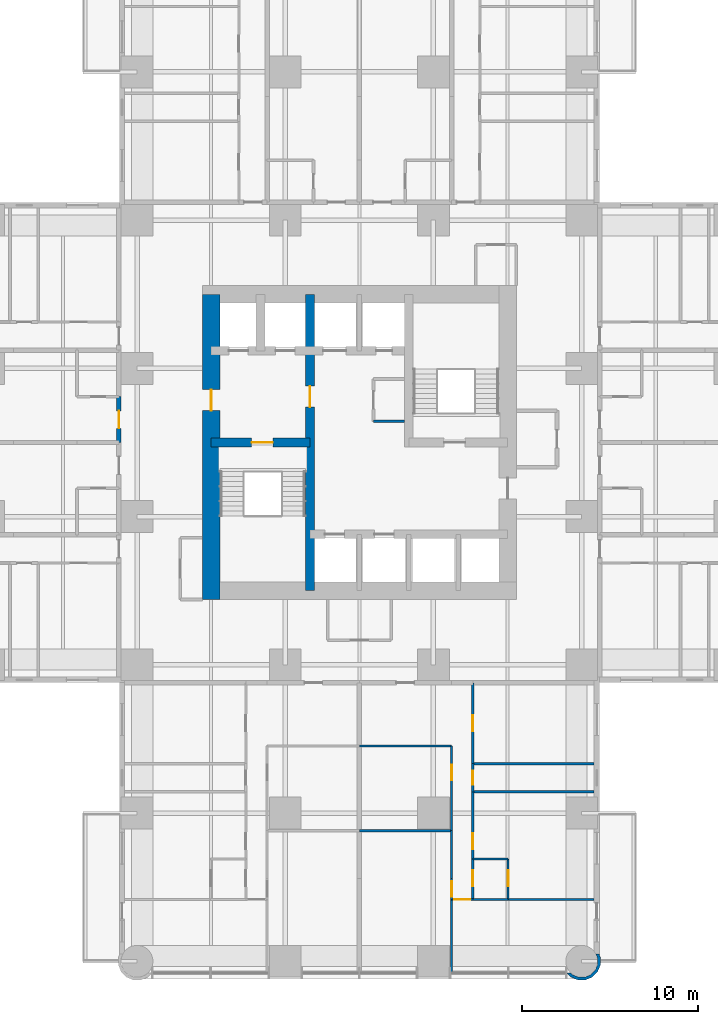
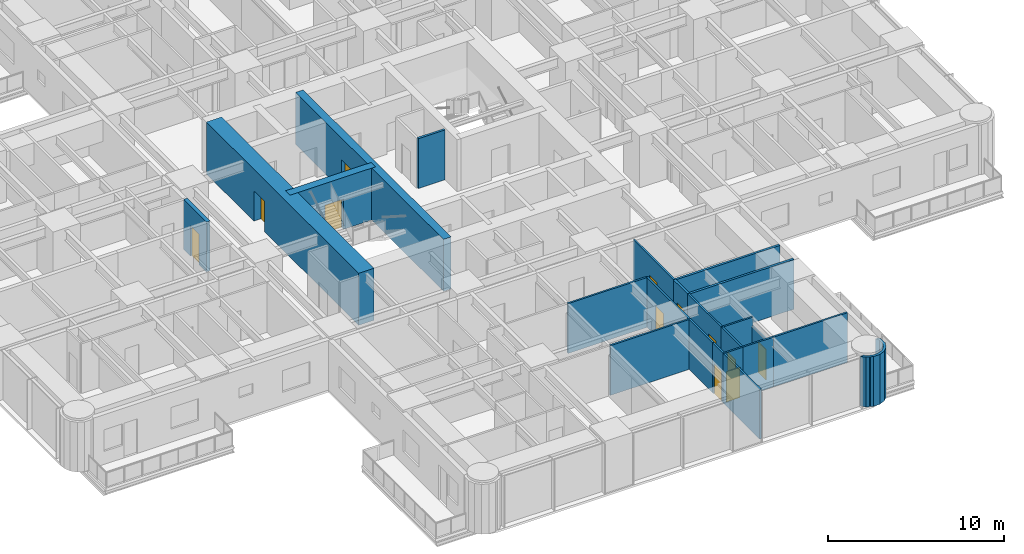
# One storey, part 9 of 17: 23 walls, 12 doors, 12 openings.
"""IFC4 building model written with IfcOpenShell, lengths in metres."""

from ifc_helpers import new_model, si_unit, direction, frame, frame_2d, origin, place, context, subcontext, project, spatial, polyline, rectangle, outline, extrude, material, layer, layer_set, type_object, element, fill, save


model = new_model("IFC4")

# Units and contexts
model_context = context("Model", 3, precision=1e-05, world=origin(), true_north=direction((0.0, 1.0)))
body_context = subcontext(model_context, "Body", "Model", "MODEL_VIEW")
ifc_project = project(units=[si_unit("LENGTHUNIT", "METRE"), si_unit("AREAUNIT", "SQUARE_METRE"), si_unit("VOLUMEUNIT", "CUBIC_METRE"), si_unit("PLANEANGLEUNIT", "RADIAN"), si_unit("MASSUNIT", "GRAM", prefix="KILO")], contexts=[model_context])

# Site, building, storey
site_placement = place(None, origin())
site = spatial("IfcSite", under=ifc_project, at=site_placement, CompositionType="ELEMENT")
building_placement = place(site_placement, origin())
building = spatial("IfcBuilding", under=site, at=building_placement, Name="Torre Alcanfor", CompositionType="ELEMENT")
storey_placement = place(building_placement, frame((0.0, 0.0, 88.5)))
storey = spatial("IfcBuildingStorey", under=building, at=storey_placement, Name="L22", CompositionType="ELEMENT", Elevation=88.5)

# Wall, opening, door
ifc_material_1 = material(Name="Concrete block masonry, hollow blocks NMX-C-404 9 MPa", Category="masonry")
ifc_layer_1 = layer(ifc_material_1, 0.25)
ifc_layer_set_1 = layer_set([ifc_layer_1], Name="Apartment entrance wall 250 EI 60")
wall_type_1 = type_object("IfcWallType", Name="Apartment entrance wall 250 EI 60", PredefinedType="PARTITIONING", material=ifc_layer_set_1)
wall_1_placement = place(storey_placement, frame((15.77490234375, 29.39990234375, 0.0), z_axis=(0.0, 0.0, 1.0), x_axis=(0.0, 1.0, 0.0)))
wall_1 = element("IfcWall", 1, at=wall_1_placement, inside=storey, type_object=wall_type_1, Name="Partition L22-CORR / L22-W2A-FOYER", PredefinedType="PARTITIONING", context=body_context, shape_type="SweptSolid", body=[
    extrude(rectangle(XDim=2.60009765625, YDim=0.25, at=frame_2d((1.300048828125, 0.0))), origin(), (0.0, 0.0, 1.0), 3.449951171875),
])
opening_1_placement = place(wall_1_placement, frame((0.800048828125, 0.0, 0.0)))
opening_1 = element("IfcOpeningElement", 2, at=opening_1_placement, cuts=wall_1, Name="Opening D-A1", PredefinedType="OPENING", context=body_context, shape_type="SweptSolid", body=[
    extrude(rectangle(XDim=1.0, YDim=2.10009765625, at=frame_2d((0.5, 1.050048828125))), frame((0.0, 0.135009765625, 0.0), z_axis=(0.0, -1.0, 0.0), x_axis=(1.0, 0.0, 0.0)), (0.0, 0.0, 1.0), 0.27001953125),
])
ifc_material_2 = material(Name="Galvanised steel sheet ASTM A653", Category="steel")
door_type_1 = type_object("IfcDoorType", Name="Apartment entrance door FD60 1000x2100", OperationType="SINGLE_SWING_LEFT", PredefinedType="DOOR", material=ifc_material_2)
door_1_placement = place(opening_1_placement, origin())
door_1 = element("IfcDoor", 3, at=door_1_placement, inside=storey, type_object=door_type_1, Name="Apartment entrance L22-W2A", OperationType="SINGLE_SWING_LEFT", OverallHeight=2.10009765625, OverallWidth=1.0, PredefinedType="DOOR", context=body_context, shape_type="SweptSolid", body=[
    extrude(rectangle(XDim=1.0, YDim=2.10009765625, at=frame_2d((0.5, 1.050048828125))), frame((0.0, 0.02490234375, 0.0), z_axis=(0.0, -1.0, 0.0), x_axis=(1.0, 0.0, 0.0)), (0.0, 0.0, 1.0), 0.050048828125),
])
fill(opening_1, door_1)

# Walls
ifc_material_3 = material(Name="Gypsum board on steel studs", Category="steel")
ifc_layer_2 = layer(ifc_material_3, 0.1201171875)
ifc_layer_set_2 = layer_set([ifc_layer_2], Name="Apartment partition 120")
wall_type_2 = type_object("IfcWallType", Name="Apartment partition 120", PredefinedType="PARTITIONING", material=ifc_layer_set_2)
for number, where, z_axis, x_axis, name in (
    (4, (29.39990234375, 12.199951171875, 0.0), (0.0, 0.0, 1.0), (1.0, 0.0, 0.0), "Partition L22-S1-ZAG / L22-S1-FAMILY"),
    (5, (29.39990234375, 7.39990234375, 0.0), (0.0, 0.0, 1.0), (1.0, 0.0, 0.0), "Partition L22-S1-FAMILY / L22-S1-KITCHEN"),
):
    element("IfcWall", number, at=place(storey_placement, frame(where, z_axis=z_axis, x_axis=x_axis)), inside=storey, type_object=wall_type_2, Name=name, PredefinedType="PARTITIONING", context=body_context, shape_type="SweptSolid", body=[
        extrude(rectangle(XDim=5.22900390625, YDim=0.1201171875, at=frame_2d((2.614501953125, 0.0))), origin(), (0.0, 0.0, 1.0), 3.449951171875),
    ])

# Wall, opening, door
wall_2_placement = place(storey_placement, frame((34.62890625, 7.39990234375, 0.0), z_axis=(0.0, 0.0, 1.0), x_axis=(0.0, 1.0, 0.0)))
wall_2 = element("IfcWall", 6, at=wall_2_placement, inside=storey, type_object=wall_type_2, Name="Partition L22-S1-FAMILY / L22-S1-HALL", PredefinedType="PARTITIONING", context=body_context, shape_type="SweptSolid", body=[
    extrude(rectangle(XDim=4.800048828125, YDim=0.1201171875, at=frame_2d((2.39990234375, 0.0))), origin(), (0.0, 0.0, 1.0), 3.449951171875),
])
opening_2_placement = place(wall_2_placement, frame((2.85009765625, 0.0, 0.0)))
opening_2 = element("IfcOpeningElement", 7, at=opening_2_placement, cuts=wall_2, Name="Opening D-R1", PredefinedType="OPENING", context=body_context, shape_type="SweptSolid", body=[
    extrude(rectangle(XDim=0.89990234375, YDim=2.10009765625, at=frame_2d((0.449951171875, 1.050048828125))), frame((0.0, 0.070068359375, 0.0), z_axis=(0.0, -1.0, 0.0), x_axis=(1.0, 0.0, 0.0)), (0.0, 0.0, 1.0), 0.14013671875),
])
ifc_material_4 = material(Name="Timber", Category="wood")
door_type_2 = type_object("IfcDoorType", Name="Internal door 900x2100", OperationType="SINGLE_SWING_LEFT", PredefinedType="DOOR", material=ifc_material_4)
door_2_placement = place(opening_2_placement, origin())
door_2 = element("IfcDoor", 8, at=door_2_placement, inside=storey, type_object=door_type_2, Name="Door L22-S1 family", OperationType="SINGLE_SWING_RIGHT", OverallHeight=2.10009765625, OverallWidth=0.89990234375, PredefinedType="DOOR", context=body_context, shape_type="SweptSolid", body=[
    extrude(rectangle(XDim=0.89990234375, YDim=2.10009765625, at=frame_2d((0.449951171875, 1.050048828125))), frame((0.0, 0.02490234375, 0.0), z_axis=(0.0, -1.0, 0.0), x_axis=(1.0, 0.0, 0.0)), (0.0, 0.0, 1.0), 0.050048828125),
])
fill(opening_2, door_2)

# Wall
wall_3_placement = place(storey_placement, frame((34.62890625, 4.699951171875, 0.0), z_axis=(0.0, 0.0, 1.0), x_axis=(0.0, 1.0, 0.0)))
element("IfcWall", 9, at=wall_3_placement, inside=storey, type_object=wall_type_2, Name="Partition L22-S1-KITCHEN / L22-S1-HALL", PredefinedType="PARTITIONING", context=body_context, shape_type="SweptSolid", body=[
    extrude(rectangle(XDim=2.699951171875, YDim=0.1201171875, at=frame_2d((1.35009765625, 0.0))), origin(), (0.0, 0.0, 1.0), 3.449951171875),
])

# Wall, opening, door
wall_4_placement = place(storey_placement, frame((34.62890625, 3.5, 0.0), z_axis=(0.0, 0.0, 1.0), x_axis=(0.0, 1.0, 0.0)))
wall_4 = element("IfcWall", 10, at=wall_4_placement, inside=storey, type_object=wall_type_2, Name="Partition L22-S1-LIVING / L22-S1-HALL", PredefinedType="PARTITIONING", context=body_context, shape_type="SweptSolid", body=[
    extrude(rectangle(XDim=1.199951171875, YDim=0.1201171875, at=frame_2d((0.60009765625, 0.0))), origin(), (0.0, 0.0, 1.0), 3.449951171875),
])
opening_3_placement = place(wall_4_placement, frame((0.14990234375, 0.0, 0.0)))
opening_3 = element("IfcOpeningElement", 11, at=opening_3_placement, cuts=wall_4, Name="Opening D-R1", PredefinedType="OPENING", context=body_context, shape_type="SweptSolid", body=[
    extrude(rectangle(XDim=0.89990234375, YDim=2.10009765625, at=frame_2d((0.449951171875, 1.050048828125))), frame((0.0, 0.070068359375, 0.0), z_axis=(0.0, -1.0, 0.0), x_axis=(1.0, 0.0, 0.0)), (0.0, 0.0, 1.0), 0.14013671875),
])
door_3_placement = place(opening_3_placement, origin())
door_3 = element("IfcDoor", 12, at=door_3_placement, inside=storey, type_object=door_type_2, Name="Door L22-S1 living", OperationType="SINGLE_SWING_RIGHT", OverallHeight=2.10009765625, OverallWidth=0.89990234375, PredefinedType="DOOR", context=body_context, shape_type="SweptSolid", body=[
    extrude(rectangle(XDim=0.89990234375, YDim=2.10009765625, at=frame_2d((0.449951171875, 1.050048828125))), frame((0.0, 0.02490234375, 0.0), z_axis=(0.0, -1.0, 0.0), x_axis=(1.0, 0.0, 0.0)), (0.0, 0.0, 1.0), 0.050048828125),
])
fill(opening_3, door_3)

# Wall
wall_5_placement = place(storey_placement, frame((34.62890625, -0.64990234375, 0.0), z_axis=(0.0, 0.0, 1.0), x_axis=(0.0, 1.0, 0.0)))
element("IfcWall", 13, at=wall_5_placement, inside=storey, type_object=wall_type_2, Name="Partition L22-S1-LIVING / L22-S1-WGARD", PredefinedType="PARTITIONING", context=body_context, shape_type="SweptSolid", body=[
    extrude(rectangle(XDim=4.14990234375, YDim=0.1201171875, at=frame_2d((2.074951171875, 0.0))), origin(), (0.0, 0.0, 1.0), 3.449951171875),
])

# Wall, opening, door
wall_6_placement = place(storey_placement, frame((35.8291015625, 11.199951171875, 0.0), z_axis=(0.0, 0.0, 1.0), x_axis=(0.0, 1.0, 0.0)))
wall_6 = element("IfcWall", 14, at=wall_6_placement, inside=storey, type_object=wall_type_2, Name="Partition L22-S1-HALL / L22-S1-BED2", PredefinedType="PARTITIONING", context=body_context, shape_type="SweptSolid", body=[
    extrude(rectangle(XDim=4.574951171875, YDim=0.1201171875, at=frame_2d((2.28759765625, 0.0))), origin(), (0.0, 0.0, 1.0), 3.449951171875),
])
opening_4_placement = place(wall_6_placement, frame((1.85009765625, 0.0, 0.0)))
opening_4 = element("IfcOpeningElement", 15, at=opening_4_placement, cuts=wall_6, Name="Opening D-R1", PredefinedType="OPENING", context=body_context, shape_type="SweptSolid", body=[
    extrude(rectangle(XDim=0.89990234375, YDim=2.10009765625, at=frame_2d((0.449951171875, 1.050048828125))), frame((0.0, 0.070068359375, 0.0), z_axis=(0.0, -1.0, 0.0), x_axis=(1.0, 0.0, 0.0)), (0.0, 0.0, 1.0), 0.14013671875),
])
door_4_placement = place(opening_4_placement, frame((0.89990234375, 0.0, 0.0), z_axis=(0.0, 0.0, 1.0), x_axis=(-1.0, 0.0, 0.0)))
door_4 = element("IfcDoor", 16, at=door_4_placement, inside=storey, type_object=door_type_2, Name="Door L22-S1 bed2", OperationType="SINGLE_SWING_LEFT", OverallHeight=2.10009765625, OverallWidth=0.89990234375, PredefinedType="DOOR", context=body_context, shape_type="SweptSolid", body=[
    extrude(rectangle(XDim=0.89990234375, YDim=2.10009765625, at=frame_2d((0.449951171875, 1.050048828125))), frame((0.0, 0.025146484375, 0.0), z_axis=(0.0, -1.0, 0.0), x_axis=(1.0, 0.0, 0.0)), (0.0, 0.0, 1.0), 0.050048828125),
])
fill(opening_4, door_4)

wall_7_placement = place(storey_placement, frame((35.8291015625, 5.800048828125, 0.0), z_axis=(0.0, 0.0, 1.0), x_axis=(0.0, 1.0, 0.0)))
wall_7 = element("IfcWall", 17, at=wall_7_placement, inside=storey, type_object=wall_type_2, Name="Partition L22-S1-HALL / L22-S1-MASTER", PredefinedType="PARTITIONING", context=body_context, shape_type="SweptSolid", body=[
    extrude(rectangle(XDim=3.800048828125, YDim=0.1201171875, at=frame_2d((1.89990234375, 0.0))), origin(), (0.0, 0.0, 1.0), 3.449951171875),
])
opening_5_placement = place(wall_7_placement, frame((0.550048828125, 0.0, 0.0)))
opening_5 = element("IfcOpeningElement", 18, at=opening_5_placement, cuts=wall_7, Name="Opening D-R1", PredefinedType="OPENING", context=body_context, shape_type="SweptSolid", body=[
    extrude(rectangle(XDim=0.89990234375, YDim=2.10009765625, at=frame_2d((0.449951171875, 1.050048828125))), frame((0.0, 0.070068359375, 0.0), z_axis=(0.0, -1.0, 0.0), x_axis=(1.0, 0.0, 0.0)), (0.0, 0.0, 1.0), 0.14013671875),
])
door_5_placement = place(opening_5_placement, frame((0.89990234375, 0.0, 0.0), z_axis=(0.0, 0.0, 1.0), x_axis=(-1.0, 0.0, 0.0)))
door_5 = element("IfcDoor", 19, at=door_5_placement, inside=storey, type_object=door_type_2, Name="Door L22-S1 master", OperationType="SINGLE_SWING_RIGHT", OverallHeight=2.10009765625, OverallWidth=0.89990234375, PredefinedType="DOOR", context=body_context, shape_type="SweptSolid", body=[
    extrude(rectangle(XDim=0.89990234375, YDim=2.10009765625, at=frame_2d((0.449951171875, 1.050048828125))), frame((0.0, 0.025146484375, 0.0), z_axis=(0.0, -1.0, 0.0), x_axis=(1.0, 0.0, 0.0)), (0.0, 0.0, 1.0), 0.050048828125),
])
fill(opening_5, door_5)

wall_8_placement = place(storey_placement, frame((35.8291015625, 3.5, 0.0), z_axis=(0.0, 0.0, 1.0), x_axis=(0.0, 1.0, 0.0)))
wall_8 = element("IfcWall", 20, at=wall_8_placement, inside=storey, type_object=wall_type_2, Name="Partition L22-S1-HALL / L22-S1-VEST", PredefinedType="PARTITIONING", context=body_context, shape_type="SweptSolid", body=[
    extrude(rectangle(XDim=2.300048828125, YDim=0.1201171875, at=frame_2d((1.14990234375, 0.0))), origin(), (0.0, 0.0, 1.0), 3.449951171875),
])
opening_6_placement = place(wall_8_placement, frame((0.75, 0.0, 0.0)))
opening_6 = element("IfcOpeningElement", 21, at=opening_6_placement, cuts=wall_8, Name="Opening D-R1", PredefinedType="OPENING", context=body_context, shape_type="SweptSolid", body=[
    extrude(rectangle(XDim=0.89990234375, YDim=2.10009765625, at=frame_2d((0.449951171875, 1.050048828125))), frame((0.0, 0.070068359375, 0.0), z_axis=(0.0, -1.0, 0.0), x_axis=(1.0, 0.0, 0.0)), (0.0, 0.0, 1.0), 0.14013671875),
])
door_6_placement = place(opening_6_placement, frame((0.89990234375, 0.0, 0.0), z_axis=(0.0, 0.0, 1.0), x_axis=(-1.0, 0.0, 0.0)))
door_6 = element("IfcDoor", 22, at=door_6_placement, inside=storey, type_object=door_type_2, Name="Door L22-S1 vest", OperationType="SINGLE_SWING_LEFT", OverallHeight=2.10009765625, OverallWidth=0.89990234375, PredefinedType="DOOR", context=body_context, shape_type="SweptSolid", body=[
    extrude(rectangle(XDim=0.89990234375, YDim=2.10009765625, at=frame_2d((0.449951171875, 1.050048828125))), frame((0.0, 0.025146484375, 0.0), z_axis=(0.0, -1.0, 0.0), x_axis=(1.0, 0.0, 0.0)), (0.0, 0.0, 1.0), 0.050048828125),
])
fill(opening_6, door_6)

wall_9_placement = place(storey_placement, frame((34.62890625, 3.5, 0.0), z_axis=(0.0, 0.0, 1.0), x_axis=(1.0, 0.0, 0.0)))
wall_9 = element("IfcWall", 23, at=wall_9_placement, inside=storey, type_object=wall_type_2, Name="Partition L22-S1-HALL / L22-S1-WGARD", PredefinedType="PARTITIONING", context=body_context, shape_type="SweptSolid", body=[
    extrude(rectangle(XDim=1.2001953125, YDim=0.1201171875, at=frame_2d((0.60009765625, 0.0))), origin(), (0.0, 0.0, 1.0), 3.449951171875),
])
opening_7_placement = place(wall_9_placement, frame((0.15087890625, 0.0, 0.0)))
opening_7 = element("IfcOpeningElement", 24, at=opening_7_placement, cuts=wall_9, Name="Opening D-R1", PredefinedType="OPENING", context=body_context, shape_type="SweptSolid", body=[
    extrude(rectangle(XDim=0.89990234375, YDim=2.10009765625, at=frame_2d((0.449951171875, 1.050048828125))), frame((0.0, 0.070068359375, 0.0), z_axis=(0.0, -1.0, 0.0), x_axis=(1.0, 0.0, 0.0)), (0.0, 0.0, 1.0), 0.14013671875),
])
door_7_placement = place(opening_7_placement, frame((0.89990234375, 0.0, 0.0), z_axis=(0.0, 0.0, 1.0), x_axis=(-1.0, 0.0, 0.0)))
door_7 = element("IfcDoor", 25, at=door_7_placement, inside=storey, type_object=door_type_2, Name="Door L22-S1 wgard", OperationType="SINGLE_SWING_RIGHT", OverallHeight=2.10009765625, OverallWidth=0.89990234375, PredefinedType="DOOR", context=body_context, shape_type="SweptSolid", body=[
    extrude(rectangle(XDim=0.89990234375, YDim=2.10009765625, at=frame_2d((0.449951171875, 1.050048828125))), frame((0.0, 0.025146484375, 0.0), z_axis=(0.0, -1.0, 0.0), x_axis=(1.0, 0.0, 0.0)), (0.0, 0.0, 1.0), 0.050048828125),
])
fill(opening_7, door_7)

wall_10_placement = place(storey_placement, frame((37.8291015625, 3.5, 0.0), z_axis=(0.0, 0.0, 1.0), x_axis=(0.0, 1.0, 0.0)))
wall_10 = element("IfcWall", 26, at=wall_10_placement, inside=storey, type_object=wall_type_2, Name="Partition L22-S1-MASTER / L22-S1-VEST", PredefinedType="PARTITIONING", context=body_context, shape_type="SweptSolid", body=[
    extrude(rectangle(XDim=2.300048828125, YDim=0.1201171875, at=frame_2d((1.14990234375, 0.0))), origin(), (0.0, 0.0, 1.0), 2.847900390625),
])
opening_8_placement = place(wall_10_placement, frame((0.75, 0.0, 0.0)))
opening_8 = element("IfcOpeningElement", 27, at=opening_8_placement, cuts=wall_10, Name="Opening D-R1", PredefinedType="OPENING", context=body_context, shape_type="SweptSolid", body=[
    extrude(rectangle(XDim=0.89990234375, YDim=2.10009765625, at=frame_2d((0.449951171875, 1.050048828125))), frame((0.0, 0.070068359375, 0.0), z_axis=(0.0, -1.0, 0.0), x_axis=(1.0, 0.0, 0.0)), (0.0, 0.0, 1.0), 0.14013671875),
])
door_8_placement = place(opening_8_placement, origin())
door_8 = element("IfcDoor", 28, at=door_8_placement, inside=storey, type_object=door_type_2, Name="Door L22-S1 master", OperationType="SINGLE_SWING_RIGHT", OverallHeight=2.10009765625, OverallWidth=0.89990234375, PredefinedType="DOOR", context=body_context, shape_type="SweptSolid", body=[
    extrude(rectangle(XDim=0.89990234375, YDim=2.10009765625, at=frame_2d((0.449951171875, 1.050048828125))), frame((0.0, 0.02490234375, 0.0), z_axis=(0.0, -1.0, 0.0), x_axis=(1.0, 0.0, 0.0)), (0.0, 0.0, 1.0), 0.050048828125),
])
fill(opening_8, door_8)

# Walls
wall_11_placement = place(storey_placement, frame((37.8291015625, 5.800048828125, 0.0), z_axis=(0.0, 0.0, 1.0), x_axis=(-1.0, 0.0, 0.0)))
element("IfcWall", 29, at=wall_11_placement, inside=storey, type_object=wall_type_2, Name="Partition L22-S1-MASTER / L22-S1-VEST", PredefinedType="PARTITIONING", context=body_context, shape_type="SweptSolid", body=[
    extrude(rectangle(XDim=2.0, YDim=0.1201171875, at=frame_2d((1.0, 0.0))), origin(), (0.0, 0.0, 1.0), 3.449951171875),
])
wall_12_placement = place(storey_placement, frame((42.699951171875, 3.5, 0.0), z_axis=(0.0, 0.0, 1.0), x_axis=(-1.0, 0.0, 0.0)))
element("IfcWall", 30, at=wall_12_placement, inside=storey, type_object=wall_type_2, Name="Partition L22-S1-MASTER / L22-S1-WGARD", PredefinedType="PARTITIONING", context=body_context, shape_type="SweptSolid", body=[
    extrude(rectangle(XDim=4.870849609375, YDim=0.1201171875, at=frame_2d((2.435546875, 0.0))), origin(), (0.0, 0.0, 1.0), 3.449951171875),
])
wall_13_placement = place(storey_placement, frame((35.8291015625, 3.5, 0.0), z_axis=(0.0, 0.0, 1.0), x_axis=(1.0, 0.0, 0.0)))
element("IfcWall", 31, at=wall_13_placement, inside=storey, type_object=wall_type_2, Name="Partition L22-S1-VEST / L22-S1-WGARD", PredefinedType="PARTITIONING", context=body_context, shape_type="SweptSolid", body=[
    extrude(rectangle(XDim=2.0, YDim=0.1201171875, at=frame_2d((1.0, 0.0))), origin(), (0.0, 0.0, 1.0), 3.449951171875),
])

# Wall, opening, door
ifc_material_5 = material(Name="Concrete f'c 70 MPa", Category="concrete")
ifc_layer_3 = layer(ifc_material_5, 0.5)
ifc_layer_set_3 = layer_set([ifc_layer_3], Name="Core inner wall 500 f'c70")
wall_type_3 = type_object("IfcWallType", Name="Core inner wall 500 f'c70", PredefinedType="SHEAR", material=ifc_layer_set_3)
wall_14_placement = place(storey_placement, frame((26.60009765625, 21.0, 0.0), z_axis=(0.0, 0.0, 1.0), x_axis=(0.0, 1.0, 0.0)))
wall_14 = element("IfcWall", 32, at=wall_14_placement, inside=storey, type_object=wall_type_3, Name="Core wall X266 L22", PredefinedType="SHEAR", context=body_context, shape_type="SweptSolid", body=[
    extrude(rectangle(XDim=16.800048828125, YDim=0.5, at=frame_2d((8.39990234375, 0.0))), origin(), (0.0, 0.0, 1.0), 3.60009765625),
])
opening_9_placement = place(wall_14_placement, frame((10.39990234375, 0.0, 0.0)))
opening_9 = element("IfcOpeningElement", 33, at=opening_9_placement, cuts=wall_14, Name="Opening D-L1", PredefinedType="OPENING", context=body_context, shape_type="SweptSolid", body=[
    extrude(rectangle(XDim=1.199951171875, YDim=2.10009765625, at=frame_2d((0.60009765625, 1.050048828125))), frame((0.0, 0.260009765625, 0.0), z_axis=(0.0, -1.0, 0.0), x_axis=(1.0, 0.0, 0.0)), (0.0, 0.0, 1.0), 0.52001953125),
])
ifc_material_6 = material(Name="Galvanised steel sheet ASTM A653", Category="steel")
door_type_3 = type_object("IfcDoorType", Name="Lobby door FD120 1200x2100", OperationType="SINGLE_SWING_LEFT", PredefinedType="DOOR", material=ifc_material_6)
door_9_placement = place(opening_9_placement, origin())
door_9 = element("IfcDoor", 34, at=door_9_placement, inside=storey, type_object=door_type_3, Name="Lift lobby door L22", OperationType="SINGLE_SWING_LEFT", OverallHeight=2.10009765625, OverallWidth=1.199951171875, PredefinedType="DOOR", context=body_context, shape_type="SweptSolid", body=[
    extrude(rectangle(XDim=1.199951171875, YDim=2.10009765625, at=frame_2d((0.60009765625, 1.050048828125))), frame((0.0, 0.02490234375, 0.0), z_axis=(0.0, -1.0, 0.0), x_axis=(1.0, 0.0, 0.0)), (0.0, 0.0, 1.0), 0.050048828125),
])
fill(opening_9, door_9)

wall_15_placement = place(storey_placement, frame((21.0, 29.39990234375, 0.0), z_axis=(0.0, 0.0, 1.0), x_axis=(1.0, 0.0, 0.0)))
wall_15 = element("IfcWall", 35, at=wall_15_placement, inside=storey, type_object=wall_type_3, Name="Core wall Y294W L22", PredefinedType="SHEAR", context=body_context, shape_type="SweptSolid", body=[
    extrude(rectangle(XDim=5.60009765625, YDim=0.5, at=frame_2d((2.800048828125, 0.0))), origin(), (0.0, 0.0, 1.0), 3.60009765625),
])
opening_10_placement = place(wall_15_placement, frame((2.300048828125, 0.0, 0.0)))
opening_10 = element("IfcOpeningElement", 36, at=opening_10_placement, cuts=wall_15, Name="Opening D-S2", PredefinedType="OPENING", context=body_context, shape_type="SweptSolid", body=[
    extrude(rectangle(XDim=1.199951171875, YDim=2.10009765625, at=frame_2d((0.60009765625, 1.050048828125))), frame((0.0, 0.260009765625, 0.0), z_axis=(0.0, -1.0, 0.0), x_axis=(1.0, 0.0, 0.0)), (0.0, 0.0, 1.0), 0.52001953125),
])
ifc_material_7 = material(Name="Galvanised steel sheet ASTM A653", Category="steel")
door_type_4 = type_object("IfcDoorType", Name="Stair enclosure door FD120 1200x2100", OperationType="SINGLE_SWING_LEFT", PredefinedType="DOOR", material=ifc_material_7)
door_10_placement = place(opening_10_placement, frame((1.199951171875, 0.0, 0.0), z_axis=(0.0, 0.0, 1.0), x_axis=(-1.0, 0.0, 0.0)))
door_10 = element("IfcDoor", 37, at=door_10_placement, inside=storey, type_object=door_type_4, Name="Stair S1 door L22", OperationType="SINGLE_SWING_LEFT", OverallHeight=2.10009765625, OverallWidth=1.199951171875, PredefinedType="DOOR", context=body_context, shape_type="SweptSolid", body=[
    extrude(rectangle(XDim=1.199951171875, YDim=2.10009765625, at=frame_2d((0.599853515625, 1.050048828125))), frame((0.0, 0.025146484375, 0.0), z_axis=(0.0, -1.0, 0.0), x_axis=(1.0, 0.0, 0.0)), (0.0, 0.0, 1.0), 0.050048828125),
])
fill(opening_10, door_10)

ifc_material_8 = material(Name="Concrete f'c 70 MPa", Category="concrete")
ifc_layer_4 = layer(ifc_material_8, 1.0)
ifc_layer_set_4 = layer_set([ifc_layer_4], Name="Core wall 1000 f'c70")
wall_type_4 = type_object("IfcWallType", Name="Core wall 1000 f'c70", PredefinedType="SHEAR", material=ifc_layer_set_4)
wall_16_placement = place(storey_placement, frame((21.0, 37.800048828125, 0.0), z_axis=(0.0, 0.0, 1.0), x_axis=(0.0, -1.0, 0.0)))
wall_16 = element("IfcWall", 38, at=wall_16_placement, inside=storey, type_object=wall_type_4, Name="Core wall OUT-W L22", PredefinedType="SHEAR", context=body_context, shape_type="SweptSolid", body=[
    extrude(rectangle(XDim=17.300048828125, YDim=1.0, at=frame_2d((8.64990234375, 0.0))), origin(), (0.0, 0.0, 1.0), 3.60009765625),
])
opening_11_placement = place(wall_16_placement, frame((5.39990234375, 0.0, 0.0)))
opening_11 = element("IfcOpeningElement", 39, at=opening_11_placement, cuts=wall_16, Name="Opening D-L1", PredefinedType="OPENING", context=body_context, shape_type="SweptSolid", body=[
    extrude(rectangle(XDim=1.199951171875, YDim=2.10009765625, at=frame_2d((0.60009765625, 1.050048828125))), frame((0.0, 0.510009765625, 0.0), z_axis=(0.0, -1.0, 0.0), x_axis=(1.0, 0.0, 0.0)), (0.0, 0.0, 1.0), 1.02001953125),
])
door_11_placement = place(opening_11_placement, origin())
door_11 = element("IfcDoor", 40, at=door_11_placement, inside=storey, type_object=door_type_3, Name="Firefighting lobby door L22", OperationType="SINGLE_SWING_LEFT", OverallHeight=2.10009765625, OverallWidth=1.199951171875, PredefinedType="DOOR", context=body_context, shape_type="SweptSolid", body=[
    extrude(rectangle(XDim=1.199951171875, YDim=2.10009765625, at=frame_2d((0.60009765625, 1.050048828125))), frame((0.0, 0.02490234375, 0.0), z_axis=(0.0, -1.0, 0.0), x_axis=(1.0, 0.0, 0.0)), (0.0, 0.0, 1.0), 0.050048828125),
])
fill(opening_11, door_11)

# Walls
ifc_material_9 = material(Name="Concrete block masonry, hollow blocks NMX-C-404 9 MPa", Category="masonry")
ifc_layer_5 = layer(ifc_material_9, 0.14990234375)
ifc_layer_set_5 = layer_set([ifc_layer_5], Name="Residents' room partition 150")
wall_type_5 = type_object("IfcWallType", Name="Residents' room partition 150", PredefinedType="PARTITIONING", material=ifc_layer_set_5)
wall_17_placement = place(storey_placement, frame((31.949951171875, 30.60009765625, 0.0), z_axis=(0.0, 0.0, 1.0), x_axis=(-1.0, 0.0, 0.0)))
element("IfcWall", 41, at=wall_17_placement, inside=storey, type_object=wall_type_5, Name="Partition L22-LL / L22-CR1", PredefinedType="PARTITIONING", context=body_context, shape_type="SweptSolid", body=[
    extrude(rectangle(XDim=1.75, YDim=0.14990234375, at=frame_2d((0.875, 0.0))), origin(), (0.0, 0.0, 1.0), 3.449951171875),
])
ifc_material_10 = material(Name="Limestone cladding", Category="masonry")
ifc_layer_6 = layer(ifc_material_10, 0.0400390625, Name="Facing")
ifc_material_11 = material(Name="Ventilated air cavity")
ifc_layer_7 = layer(ifc_material_11, 0.02001953125, ventilated=True, Name="Ventilated joint")
ifc_material_12 = material(Name="Mineral wool insulation", Category="insulation")
ifc_layer_8 = layer(ifc_material_12, 0.10009765625, Name="Insulation")
ifc_material_13 = material(Name="Concrete f'c 35 MPa", Category="concrete")
ifc_layer_9 = layer(ifc_material_13, 0.139892578125, Name="Backing")
ifc_layer_set_6 = layer_set([ifc_layer_6, ifc_layer_7, ifc_layer_8, ifc_layer_9], Name="Rounded corner pier stone-clad 300")
wall_type_6 = type_object("IfcWallType", Name="Rounded corner pier stone-clad 300", PredefinedType="SOLIDWALL", material=ifc_layer_set_6)
wall_18_placement = place(storey_placement, frame((41.23340608, -0.610519256, 0.0), z_axis=(0.0, 0.0, 1.0), x_axis=(0.377204953059, -0.926129809145, 0.0)))
element("IfcWall", 42, at=wall_18_placement, inside=storey, type_object=wall_type_6, Name="Corner pier L22 16", PredefinedType="SOLIDWALL", context=body_context, shape_type="SweptSolid", body=[
    extrude(outline(polyline([(0.31873169437185855, 1.8425336525024494), (-0.07152710704046505, 2.001482809968314), (-0.24009471588869835, 2.0005449414227563), (-0.26941358666453996, 2.017231322070639), (-0.37003424962124987, 1.840731870737274), (-0.10240281114565264, 1.842182010528029), (0.22952066537421467, 1.7069923447343507), (0.48468330510664415, 1.4551793700683648), (0.6237907271323827, 1.1248909220292227), (0.6256685839754508, 0.7664021208386822), (0.49047891818177247, 0.4344786443188148), (0.23866594351578668, 0.1793160045863853), (0.09016005264750862, 0.11695717207098313), (0.01086965602056237, -0.07772001681430692), (0.024436010646714988, -0.08324547999388505), (0.3295868985749782, 0.04527476829386376), (0.48015223740573765, 0.19747796194128653), (0.49902760591309464, 0.19268993376963664), (0.5075741737852856, 0.2253240824532252), (0.6260202259498713, 0.3452676153211709), (0.7849693834157356, 0.7355264167334946), (0.7824906971943995, 1.1572636358175066), (0.6187245413991658, 1.5461003251275562), (0.31873169437185855, 1.8425336525024494)])), origin(), (0.0, 0.0, 1.0), 3.449951171875),
])

# Wall, opening, door
ifc_material_14 = material(Name="Cement board on steel studs", Category="steel")
ifc_layer_10 = layer(ifc_material_14, 0.14990234375)
ifc_layer_set_7 = layer_set([ifc_layer_10], Name="Wet area partition 150")
wall_type_7 = type_object("IfcWallType", Name="Wet area partition 150", PredefinedType="PARTITIONING", material=ifc_layer_set_7)
wall_19_placement = place(storey_placement, frame((35.8291015625, 9.60009765625, 0.0), z_axis=(0.0, 0.0, 1.0), x_axis=(0.0, 1.0, 0.0)))
wall_19 = element("IfcWall", 43, at=wall_19_placement, inside=storey, type_object=wall_type_7, Name="Partition L22-S1-HALL / L22-S1-BATH1", PredefinedType="PARTITIONING", context=body_context, shape_type="SweptSolid", body=[
    extrude(rectangle(XDim=1.599853515625, YDim=0.14990234375, at=frame_2d((0.7998046875, 0.0))), origin(), (0.0, 0.0, 1.0), 3.449951171875),
])
opening_12_placement = place(wall_19_placement, frame((0.39990234375, 0.0, 0.0)))
opening_12 = element("IfcOpeningElement", 44, at=opening_12_placement, cuts=wall_19, Name="Opening D-R2", PredefinedType="OPENING", context=body_context, shape_type="SweptSolid", body=[
    extrude(rectangle(XDim=0.800048828125, YDim=2.10009765625, at=frame_2d((0.39990234375, 1.050048828125))), frame((0.0, 0.0849609375, 0.0), z_axis=(0.0, -1.0, 0.0), x_axis=(1.0, 0.0, 0.0)), (0.0, 0.0, 1.0), 0.169921875),
])
ifc_material_15 = material(Name="Timber", Category="wood")
door_type_5 = type_object("IfcDoorType", Name="Bathroom door 800x2100", OperationType="SINGLE_SWING_LEFT", PredefinedType="DOOR", material=ifc_material_15)
door_12_placement = place(opening_12_placement, frame((0.800048828125, 0.0, 0.0), z_axis=(0.0, 0.0, 1.0), x_axis=(-1.0, 0.0, 0.0)))
door_12 = element("IfcDoor", 45, at=door_12_placement, inside=storey, type_object=door_type_5, Name="Door L22-S1 bath1", OperationType="SINGLE_SWING_RIGHT", OverallHeight=2.10009765625, OverallWidth=0.800048828125, PredefinedType="DOOR", context=body_context, shape_type="SweptSolid", body=[
    extrude(rectangle(XDim=0.800048828125, YDim=2.10009765625, at=frame_2d((0.400146484375, 1.050048828125))), frame((0.0, 0.025146484375, 0.0), z_axis=(0.0, -1.0, 0.0), x_axis=(1.0, 0.0, 0.0)), (0.0, 0.0, 1.0), 0.050048828125),
])
fill(opening_12, door_12)

# Walls
for number, where, z_axis, x_axis, name in (
    (46, (35.8291015625, 11.199951171875, 0.0), (0.0, 0.0, 1.0), (1.0, 0.0, 0.0), "Partition L22-S1-BED2 / L22-S1-BATH1"),
    (47, (35.8291015625, 9.60009765625, 0.0), (0.0, 0.0, 1.0), (1.0, 0.0, 0.0), "Partition L22-S1-BATH1 / L22-S1-MASTER"),
):
    element("IfcWall", number, at=place(storey_placement, frame(where, z_axis=z_axis, x_axis=x_axis)), inside=storey, type_object=wall_type_7, Name=name, PredefinedType="PARTITIONING", context=body_context, shape_type="SweptSolid", body=[
        extrude(rectangle(XDim=6.870849609375, YDim=0.14990234375, at=frame_2d((3.435546875, 0.0))), origin(), (0.0, 0.0, 1.0), 3.449951171875),
    ])

save(model, "model.ifc")
